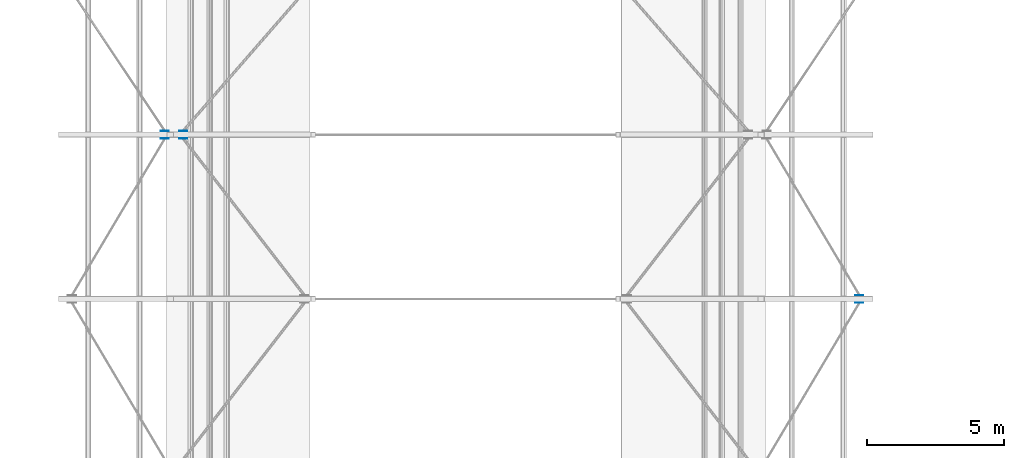
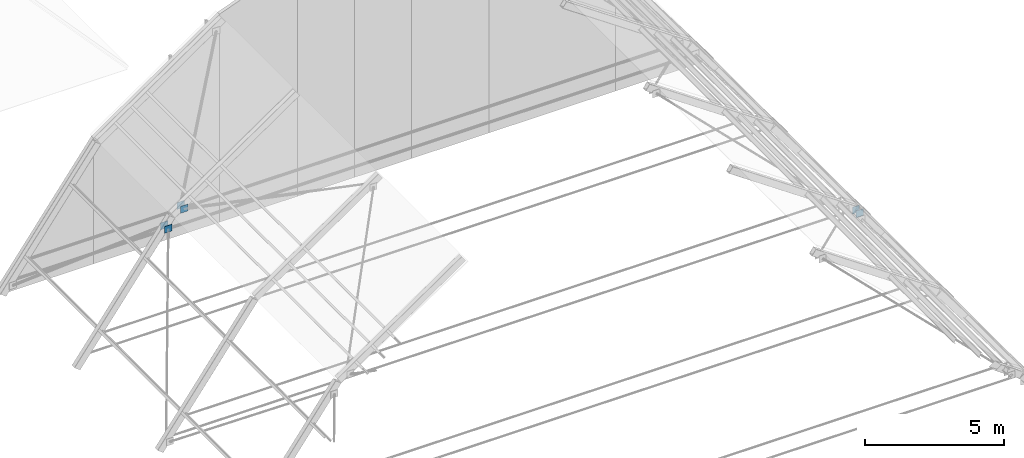
# One storey, part 33 of 43: 6 discrete accessories.
"""IFC4 building model written with IfcOpenShell, lengths in metres."""

from ifc_helpers import new_model, si_unit, direction, frame, origin, origin_2d, place, context, subcontext, project, spatial, rectangle, extrude, material, material_profile, profile_set, type_object, element, save


model = new_model("IFC4")

# Units and contexts
model_context = context("Model", 3, precision=1e-05, world=origin(), true_north=direction((0.0, 1.0)))
body_context = subcontext(model_context, "Body", "Model", "MODEL_VIEW")
ifc_project = project(units=[si_unit("LENGTHUNIT", "METRE"), si_unit("AREAUNIT", "SQUARE_METRE"), si_unit("VOLUMEUNIT", "CUBIC_METRE"), si_unit("PLANEANGLEUNIT", "RADIAN"), si_unit("MASSUNIT", "GRAM", prefix="KILO")], contexts=[model_context])

# Site, building, storey
site_placement = place(None, origin())
site = spatial("IfcSite", under=ifc_project, at=site_placement, CompositionType="ELEMENT")
building_placement = place(site_placement, origin())
building = spatial("IfcBuilding", under=site, at=building_placement, Name="Saffron Lane Theatres", CompositionType="ELEMENT")
storey_placement = place(building_placement, frame((0.0, 0.0, 23.0)))
storey = spatial("IfcBuildingStorey", under=building, at=storey_placement, Name="Roof", CompositionType="ELEMENT", Elevation=23.0)

# Discrete accessories
ifc_material = material(Name="Steel Grade 350", Category="steel")
ifc_material_profile = material_profile(ifc_material, rectangle(XDim=0.300048828125, YDim=0.300048828125, at=origin_2d()))
ifc_profile_set = profile_set([ifc_material_profile], Name="Steel Grade 350")
discrete_accessory_type = type_object("IfcDiscreteAccessoryType", Name="ST-GUSSET CONNECTION PLATE", PredefinedType="BRACKET", material=ifc_profile_set)
for number, where, z_axis, x_axis, name in (
    (1, (47.376708984375, 77.86865234375, -1.576171875), (0.0, -1.0, 0.0), (1.0, 0.0, 0.0), "GB64"),
    (2, (22.011962890625, 83.86865234375, 2.976318359375), (0.0, -1.0, 0.0), (1.0, 0.0, 0.0), "GB66"),
    (3, (22.683349609375, 83.86962890625, 3.62451171875), (0.0, -1.0, 0.0), (1.0, 0.0, 0.0), "GB67"),
    (4, (47.376708984375, 78.13134765625, -1.576171875), (0.0, 1.0, 0.0), (-1.0, 0.0, 0.0), "GB80"),
    (5, (22.007568359375, 84.133056640625, 2.970703125), (0.0, 1.0, 0.0), (-1.0, 0.0, 0.0), "GB82"),
    (6, (22.68896484375, 84.13232421875, 3.62841796875), (0.0, 1.0, 0.0), (-1.0, 0.0, 0.0), "GB83"),
):
    element("IfcDiscreteAccessory", number, at=place(storey_placement, frame(where, z_axis=z_axis, x_axis=x_axis)), inside=storey, type_object=discrete_accessory_type, Name=name, PredefinedType="BRACKET", context=body_context, shape_type="SweptSolid", body=[
        extrude(rectangle(XDim=0.300048828125, YDim=0.300048828125, at=origin_2d()), origin(), (0.0, 0.0, 1.0), 0.010009765625),
    ])

save(model, "model.ifc")
